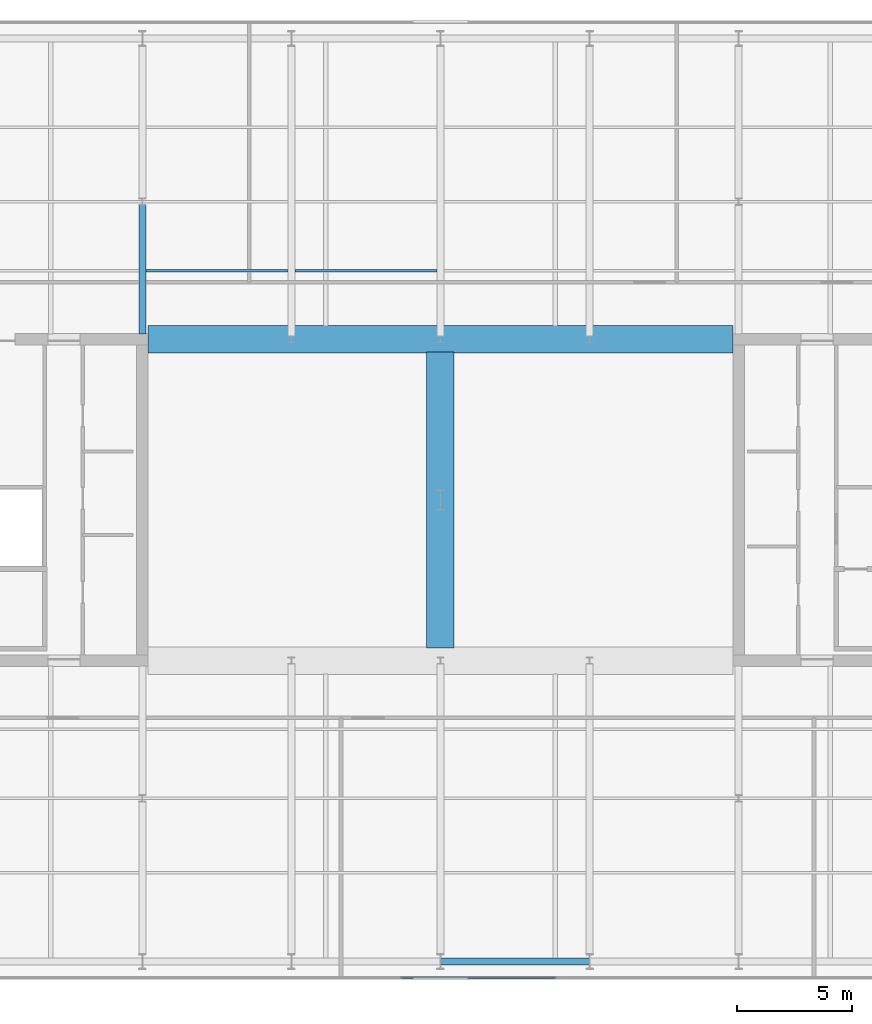
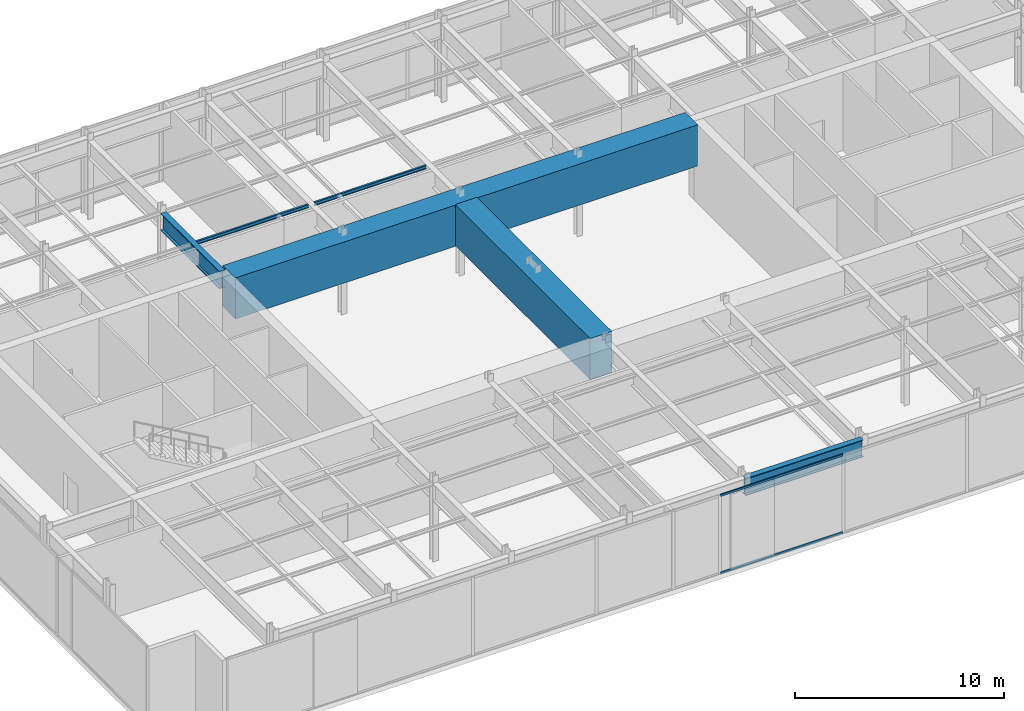
# One storey, part 8 of 21: 6 beams, 2 members, 1 element without a shape of its own.
"""IFC4 building model written with IfcOpenShell, lengths in metres."""

from ifc_helpers import new_model, si_unit, direction, frame, origin, origin_2d, place, context, subcontext, project, spatial, rectangle, i_section, extrude, material, layer, layer_set, material_profile, profile_set, type_object, element, aggregate, save


model = new_model("IFC4")

# Units and contexts
model_context = context("Model", 3, precision=1e-05, world=origin(), true_north=direction((0.0, 1.0)))
body_context = subcontext(model_context, "Body", "Model", "MODEL_VIEW")
ifc_project = project(units=[si_unit("LENGTHUNIT", "METRE"), si_unit("AREAUNIT", "SQUARE_METRE"), si_unit("VOLUMEUNIT", "CUBIC_METRE"), si_unit("PLANEANGLEUNIT", "RADIAN"), si_unit("MASSUNIT", "GRAM", prefix="KILO")], contexts=[model_context])

# Site, building, storey
site_placement = place(None, origin())
site = spatial("IfcSite", under=ifc_project, at=site_placement, CompositionType="ELEMENT")
building_placement = place(site_placement, origin())
building = spatial("IfcBuilding", under=site, at=building_placement, Name="Putna Gate Headquarters", CompositionType="ELEMENT")
storey_placement = place(building_placement, frame((0.0, 0.0, 315.39990234375)))
storey = spatial("IfcBuildingStorey", under=building, at=storey_placement, Name="L79", CompositionType="ELEMENT", Elevation=315.39990234375)

# Beams
ifc_material_1 = material(Name="Steel S355J2", Category="steel")
ifc_material_profile_1 = material_profile(ifc_material_1, i_section(OverallWidth=0.10009765625, OverallDepth=0.199951171875, WebThickness=0.005615234375, FlangeThickness=0.008544921875, at=origin_2d()), Name="Steel S355J2")
ifc_profile_set_1 = profile_set([ifc_material_profile_1], Name="Steel S355J2")
beam_type_1 = type_object("IfcBeamType", Name="BM-SEC-PLT-IPE200", PredefinedType="JOIST", material=ifc_profile_set_1)
for number, where, z_axis, x_axis, name in (
    (1, (26.155029296875, 36.0, 4.47998046875), (1.0, 0.0, 0.0), (0.0, 1.0, 0.0), "L79 North Secondary Beam 3"),
    (2, (32.655029296875, 36.0, 4.47998046875), (1.0, 0.0, 0.0), (0.0, 1.0, 0.0), "L79 North Secondary Beam 4"),
):
    element("IfcBeam", number, at=place(storey_placement, frame(where, z_axis=z_axis, x_axis=x_axis)), inside=storey, type_object=beam_type_1, Name=name, PredefinedType="JOIST", context=body_context, shape_type="SweptSolid", body=[
        extrude(i_section(OverallWidth=0.10009765625, OverallDepth=0.199951171875, WebThickness=0.005615234375, FlangeThickness=0.008544921875, at=origin_2d()), origin(), (0.0, 0.0, 1.0), 6.18994140625),
    ])
ifc_material_2 = material(Name="Steel S460M", Category="steel")
ifc_material_profile_2 = material_profile(ifc_material_2, i_section(OverallWidth=0.302001953125, OverallDepth=1.008056640625, WebThickness=0.02099609375, FlangeThickness=0.0400390625, at=origin_2d()), Name="Steel S460M")
ifc_profile_set_2 = profile_set([ifc_material_profile_2], Name="Steel S460M")
beam_type_2 = type_object("IfcBeamType", Name="BM-TG-HEM1000", PredefinedType="USERDEFINED", material=ifc_profile_set_2)
beam_1_placement = place(storey_placement, frame((26.0, 33.235107421875, 4.076171875), z_axis=(0.0, 1.0, 0.0), x_axis=(-1.0, 0.0, 0.0)))
element("IfcBeam", 3, at=beam_1_placement, inside=storey, type_object=beam_type_2, Name="L79 North Primary Girder X26-1", ObjectType="GIRDER", PredefinedType="USERDEFINED", context=body_context, shape_type="SweptSolid", body=[
    extrude(i_section(OverallWidth=0.302001953125, OverallDepth=1.008056640625, WebThickness=0.02099609375, FlangeThickness=0.0400390625, at=origin_2d()), origin(), (0.0, 0.0, 1.0), 5.626953125),
])
ifc_material_profile_3 = material_profile(ifc_material_2, i_section(OverallWidth=0.302001953125, OverallDepth=1.008056640625, WebThickness=0.02099609375, FlangeThickness=0.0400390625, at=origin_2d()), Name="Steel S460M")
ifc_profile_set_3 = profile_set([ifc_material_profile_3], Name="Steel S460M")
beam_type_3 = type_object("IfcBeamType", Name="BM-TG-HEM1000-EXT", PredefinedType="USERDEFINED", material=ifc_profile_set_3)
beam_2_placement = place(storey_placement, frame((39.006103515625, 5.8798828125, 4.076171875), z_axis=(1.0, 0.0, 0.0), x_axis=(0.0, 1.0, 0.0)))
element("IfcBeam", 4, at=beam_2_placement, inside=storey, type_object=beam_type_3, Name="L79 S Perimeter Spandrel 5", ObjectType="GIRDER", PredefinedType="USERDEFINED", context=body_context, shape_type="SweptSolid", body=[
    extrude(i_section(OverallWidth=0.302001953125, OverallDepth=1.008056640625, WebThickness=0.02099609375, FlangeThickness=0.0400390625, at=origin_2d()), origin(), (0.0, 0.0, 1.0), 6.48779296875),
])
ifc_material_3 = material(Name="Concrete C50/60", Category="concrete")
ifc_material_profile_4 = material_profile(ifc_material_3, rectangle(XDim=1.199951171875, YDim=2.39990234375, at=origin_2d()), Name="Concrete C50/60")
ifc_profile_set_4 = profile_set([ifc_material_profile_4], Name="Concrete C50/60")
beam_type_4 = type_object("IfcBeamType", Name="BM-TG-RC2400", PredefinedType="USERDEFINED", material=ifc_profile_set_4)
beam_3_placement = place(storey_placement, frame((26.239990234375, 33.0, 3.380126953125), z_axis=(1.0, 0.0, 0.0), x_axis=(0.0, 1.0, 0.0)))
element("IfcBeam", 5, at=beam_3_placement, inside=storey, type_object=beam_type_4, Name="L79 Crown Ring Transfer Girder N", ObjectType="GIRDER", PredefinedType="USERDEFINED", context=body_context, shape_type="SweptSolid", body=[
    extrude(rectangle(XDim=1.199951171875, YDim=2.39990234375, at=origin_2d()), origin(), (0.0, 0.0, 1.0), 25.52001953125),
])
beam_4_placement = place(storey_placement, frame((39.0, 19.550048828125, 3.380126953125), z_axis=(0.0, 1.0, 0.0), x_axis=(-1.0, 0.0, 0.0)))
element("IfcBeam", 6, at=beam_4_placement, inside=storey, type_object=beam_type_4, Name="L79 Spire Base Transfer Girder TG-1", ObjectType="GIRDER", PredefinedType="USERDEFINED", context=body_context, shape_type="SweptSolid", body=[
    extrude(rectangle(XDim=1.199951171875, YDim=2.39990234375, at=origin_2d()), origin(), (0.0, 0.0, 1.0), 12.89990234375),
])

# Curtain wall, members
ifc_material_4 = material(Name="Anodised bronze aluminium curtain wall", Category="aluminium")
ifc_layer = layer(ifc_material_4, 0.159912109375)
ifc_layer_set = layer_set([ifc_layer], Name="Anodised bronze aluminium curtain wall")
curtain_wall_type = type_object("IfcCurtainWallType", Name="CW-SYS-CRN", PredefinedType="USERDEFINED", material=ifc_layer_set)
curtain_wall_placement = place(storey_placement, origin())
curtain_wall = element("IfcCurtainWall", 7, at=curtain_wall_placement, inside=storey, type_object=curtain_wall_type, Name="L79 Acoustic Louvre South Enclosure", ObjectType="STICK CURTAIN WALL", PredefinedType="USERDEFINED")
ifc_material_5 = material(Name="Anodised bronze aluminium EN AW-6060", Category="aluminium")
ifc_material_profile_5 = material_profile(ifc_material_5, rectangle(XDim=0.06494140625, YDim=0.1201171875, at=origin_2d()), Name="Anodised bronze aluminium EN AW-6060")
ifc_profile_set_5 = profile_set([ifc_material_profile_5], Name="Anodised bronze aluminium EN AW-6060")
member_type = type_object("IfcMemberType", Name="TRAN-CWT-CR", PredefinedType="USERDEFINED", material=ifc_profile_set_5)
member_1_placement = place(storey_placement, frame((37.27685546875, 5.179931640625, 0.03271484375), z_axis=(1.0, 0.0, 0.0), x_axis=(0.0, 1.0, 0.0)))
member_1 = element("IfcMember", 8, at=member_1_placement, type_object=member_type, Name="CWS-CR transom 5.1", ObjectType="TRANSOM", PredefinedType="USERDEFINED", context=body_context, shape_type="SweptSolid", body=[
    extrude(rectangle(XDim=0.06494140625, YDim=0.1201171875, at=origin_2d()), origin(), (0.0, 0.0, 1.0), 6.74609375),
])
member_2_placement = place(storey_placement, frame((37.27685546875, 5.179931640625, 4.547607421875), z_axis=(1.0, 0.0, 0.0), x_axis=(0.0, 1.0, 0.0)))
member_2 = element("IfcMember", 9, at=member_2_placement, type_object=member_type, Name="CWS-CR transom 5.2", ObjectType="TRANSOM", PredefinedType="USERDEFINED", context=body_context, shape_type="SweptSolid", body=[
    extrude(rectangle(XDim=0.06494140625, YDim=0.1201171875, at=origin_2d()), origin(), (0.0, 0.0, 1.0), 6.74609375),
])
aggregate(curtain_wall, [member_1, member_2])

save(model, "model.ifc")
